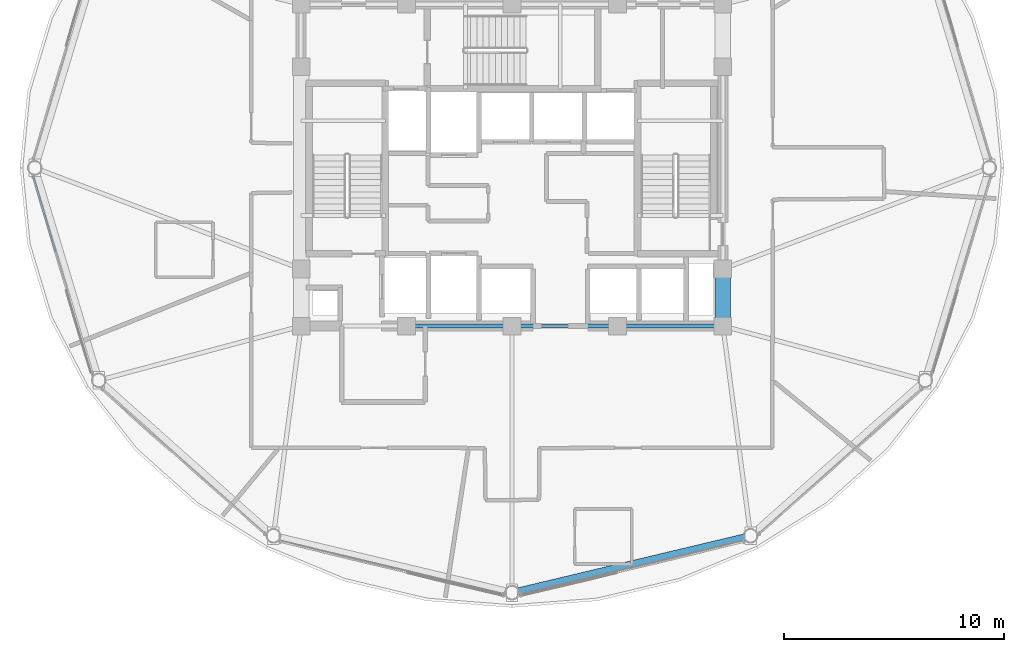
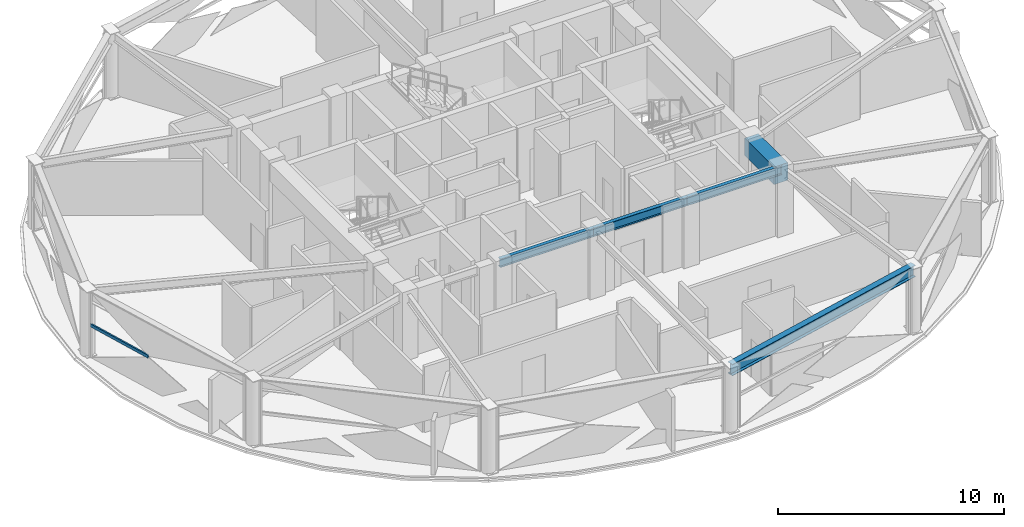
# One storey, part 6 of 28: 5 beams, 1 member, 1 element without a shape of its own.
"""IFC4 building model written with IfcOpenShell, lengths in metres."""

from ifc_helpers import new_model, si_unit, direction, frame, origin, origin_2d, place, context, subcontext, project, spatial, rectangle, hollow_rectangle, i_section, extrude, material, layer, layer_set, material_profile, profile_set, type_object, element, aggregate, save


model = new_model("IFC4")

# Units and contexts
model_context = context("Model", 3, precision=1e-05, world=origin(), true_north=direction((0.0, 1.0)))
body_context = subcontext(model_context, "Body", "Model", "MODEL_VIEW")
ifc_project = project(units=[si_unit("LENGTHUNIT", "METRE"), si_unit("AREAUNIT", "SQUARE_METRE"), si_unit("VOLUMEUNIT", "CUBIC_METRE"), si_unit("PLANEANGLEUNIT", "RADIAN"), si_unit("MASSUNIT", "GRAM", prefix="KILO")], contexts=[model_context])

# Site, building, storey
site_placement = place(None, origin())
site = spatial("IfcSite", under=ifc_project, at=site_placement, CompositionType="ELEMENT")
building_placement = place(site_placement, origin())
building = spatial("IfcBuilding", under=site, at=building_placement, Name="Vantalir Tower", CompositionType="ELEMENT")
storey_placement = place(building_placement, frame((0.0, 0.0, 246.14990234375)))
storey = spatial("IfcBuildingStorey", under=building, at=storey_placement, Name="L62", CompositionType="ELEMENT", Elevation=246.14990234375)

# Beams
ifc_material_1 = material(Name="Concrete C60/75", Category="concrete")
ifc_material_profile_1 = material_profile(ifc_material_1, rectangle(XDim=0.699951171875, YDim=0.949951171875, at=origin_2d()), Name="Concrete C60/75")
ifc_profile_set_1 = profile_set([ifc_material_profile_1], Name="Concrete C60/75")
beam_type_1 = type_object("IfcBeamType", Name="BM-CB-700x950", PredefinedType="USERDEFINED", material=ifc_profile_set_1)
beam_1_placement = place(storey_placement, frame((41.10009765625, 17.800048828125, 3.09521484375), z_axis=(0.0, 1.0, 0.0), x_axis=(-1.0, 0.0, 0.0)))
element("IfcBeam", 1, at=beam_1_placement, inside=storey, type_object=beam_type_1, Name="L62 Core Coupling Girder 05", ObjectType="GIRDER", PredefinedType="USERDEFINED", context=body_context, shape_type="SweptSolid", body=[
    extrude(rectangle(XDim=0.699951171875, YDim=0.949951171875, at=origin_2d()), origin(), (0.0, 0.0, 1.0), 2.599853515625),
])
ifc_material_2 = material(Name="Steel S355", Category="steel")
ifc_material_profile_2 = material_profile(ifc_material_2, i_section(OverallWidth=0.19189453125, OverallDepth=0.462890625, WebThickness=0.010498046875, FlangeThickness=0.017578125, at=origin_2d()), Name="Steel S355")
ifc_profile_set_2 = profile_set([ifc_material_profile_2], Name="Steel S355")
beam_type_2 = type_object("IfcBeamType", Name="BM-RB-457x191", PredefinedType="BEAM", material=ifc_profile_set_2)
for number, where, z_axis, x_axis, name in (
    (2, (26.699951171875, 17.800048828125, 3.338134765625), (1.0, 0.0, 0.0), (0.0, 1.0, 0.0), "L62 Core Coupling Girder 02"),
    (3, (31.5, 17.800048828125, 3.338134765625), (1.0, 0.0, 0.0), (0.0, 1.0, 0.0), "L62 Core Coupling Girder 03"),
    (4, (36.300048828125, 17.800048828125, 3.338134765625), (1.0, 0.0, 0.0), (0.0, 1.0, 0.0), "L62 Core Coupling Girder 04"),
):
    element("IfcBeam", number, at=place(storey_placement, frame(where, z_axis=z_axis, x_axis=x_axis)), inside=storey, type_object=beam_type_2, Name=name, PredefinedType="BEAM", context=body_context, shape_type="SweptSolid", body=[
        extrude(i_section(OverallWidth=0.19189453125, OverallDepth=0.462890625, WebThickness=0.010498046875, FlangeThickness=0.017578125, at=origin_2d()), origin(), (0.0, 0.0, 1.0), 4.800048828125),
    ])
ifc_material_3 = material(Name="Steel S460", Category="steel")
ifc_material_profile_3 = material_profile(ifc_material_3, i_section(OverallWidth=0.306884765625, OverallDepth=0.6201171875, WebThickness=0.01416015625, FlangeThickness=0.023681640625, at=origin_2d()), Name="Steel S460")
ifc_profile_set_3 = profile_set([ifc_material_profile_3], Name="Steel S460")
beam_type_3 = type_object("IfcBeamType", Name="BM-RG-610x305", PredefinedType="USERDEFINED", material=ifc_profile_set_3)
beam_2_placement = place(storey_placement, frame((31.5, 5.6669921875, 3.260009765625), z_axis=(0.97271250926, 0.23201373737, 0.0), x_axis=(-0.23201373737, 0.97271250926, 0.0)))
element("IfcBeam", 5, at=beam_2_placement, inside=storey, type_object=beam_type_3, Name="L62 Circumferential Ring Girder 10", ObjectType="GIRDER", PredefinedType="USERDEFINED", context=body_context, shape_type="SweptSolid", body=[
    extrude(i_section(OverallWidth=0.306884765625, OverallDepth=0.6201171875, WebThickness=0.01416015625, FlangeThickness=0.023681640625, at=origin_2d()), origin(), (0.0, 0.0, 1.0), 11.16357421875),
])

# Curtain wall, member
ifc_material_4 = material(Name="Champagne-silver PVDF aluminium and double-silver Low-E glass", Category="aluminium")
ifc_layer = layer(ifc_material_4, 0.2099609375)
ifc_layer_set = layer_set([ifc_layer], Name="Champagne-silver PVDF aluminium and double-silver Low-E glass")
curtain_wall_type = type_object("IfcCurtainWallType", Name="CW-DIAMOND-Z3", PredefinedType="USERDEFINED", material=ifc_layer_set)
curtain_wall_placement = place(storey_placement, origin())
curtain_wall = element("IfcCurtainWall", 6, at=curtain_wall_placement, inside=storey, type_object=curtain_wall_type, Name="L62 Quilted Pyramid-Diamond Curtain Wall S07", ObjectType="UNITISED CURTAIN WALL", PredefinedType="USERDEFINED")
ifc_material_5 = material(Name="Champagne-silver PVDF aluminium 6063-T6", Category="aluminium")
ifc_material_profile_4 = material_profile(ifc_material_5, hollow_rectangle(XDim=0.074951171875, YDim=0.159912109375, WallThickness=0.00390625, at=origin_2d()), Name="Champagne-silver PVDF aluminium 6063-T6")
ifc_profile_set_4 = profile_set([ifc_material_profile_4], Name="Champagne-silver PVDF aluminium 6063-T6")
member_type = type_object("IfcMemberType", Name="CWT-160x75", PredefinedType="USERDEFINED", material=ifc_profile_set_4)
member_placement = place(storey_placement, frame((9.7099609375, 24.60693359375, 1.78515625), z_axis=(0.281527466981, -0.959553169624, 0.0), x_axis=(0.959553169624, 0.281527466981, 0.0)))
member = element("IfcMember", 7, at=member_placement, type_object=member_type, Name="CW-L62-S07 Pyramid Fold Ridge Transom", ObjectType="TRANSOM", PredefinedType="USERDEFINED", context=body_context, shape_type="SweptSolid", body=[
    extrude(hollow_rectangle(XDim=0.074951171875, YDim=0.159912109375, WallThickness=0.00390625, at=origin_2d()), origin(), (0.0, 0.0, 1.0), 3.55908203125),
])
aggregate(curtain_wall, [member])

save(model, "model.ifc")
